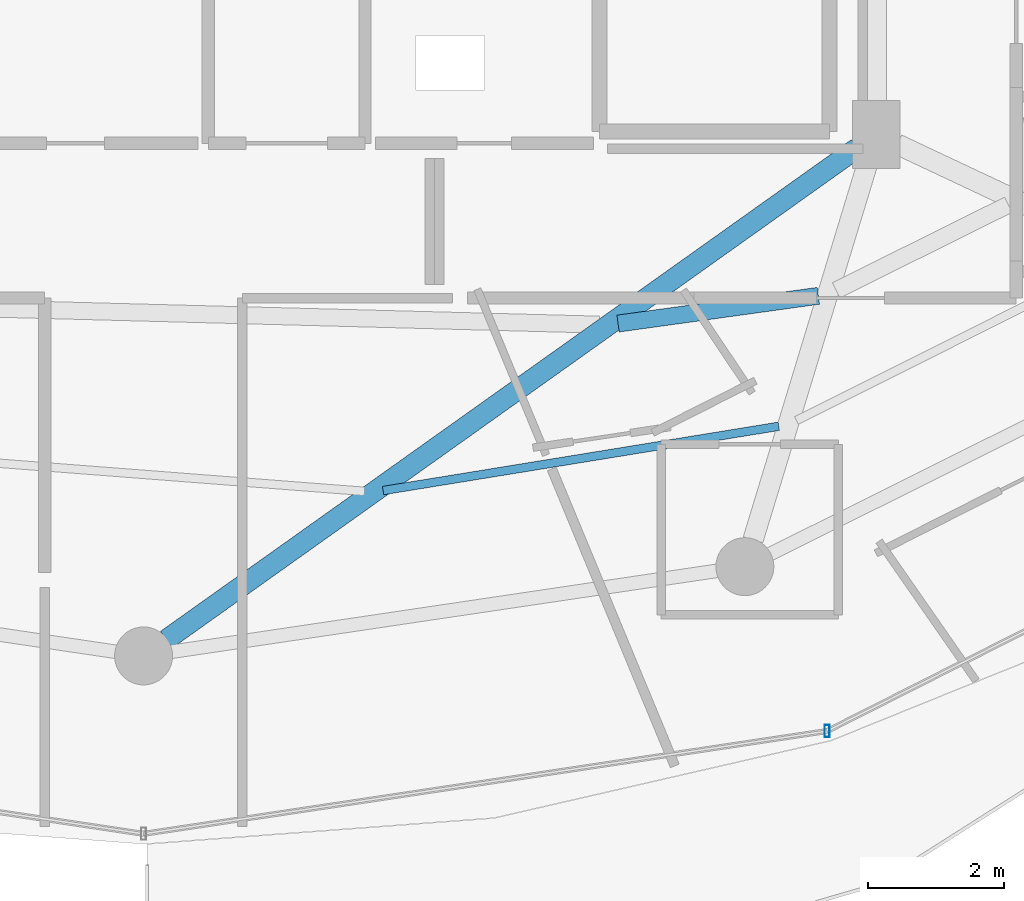
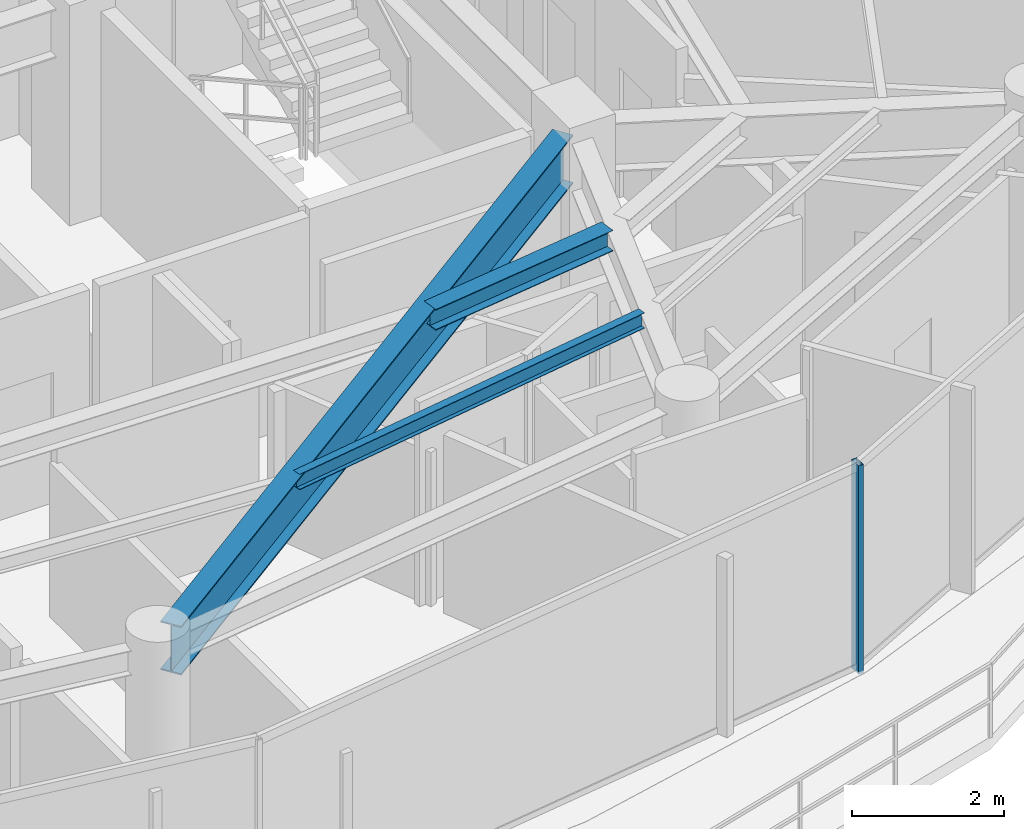
# One storey, part 10 of 30: 3 beams, 1 member, 1 element without a shape of its own.
"""IFC4 building model written with IfcOpenShell, lengths in metres."""

from ifc_helpers import new_model, si_unit, direction, frame, origin, origin_2d, place, context, subcontext, project, spatial, hollow_rectangle, i_section, extrude, material, material_profile, profile_set, type_object, element, aggregate, save


model = new_model("IFC4")

# Units and contexts
model_context = context("Model", 3, precision=1e-05, world=origin(), true_north=direction((0.0, 1.0)))
body_context = subcontext(model_context, "Body", "Model", "MODEL_VIEW")
ifc_project = project(units=[si_unit("LENGTHUNIT", "METRE"), si_unit("AREAUNIT", "SQUARE_METRE"), si_unit("VOLUMEUNIT", "CUBIC_METRE"), si_unit("PLANEANGLEUNIT", "RADIAN"), si_unit("MASSUNIT", "GRAM", prefix="KILO")], contexts=[model_context])

# Site, building, storey
site_placement = place(None, origin())
site = spatial("IfcSite", under=ifc_project, at=site_placement, CompositionType="ELEMENT")
building_placement = place(site_placement, origin())
building = spatial("IfcBuilding", under=site, at=building_placement, Name="Vorneva Point Tower", CompositionType="ELEMENT")
storey_placement = place(building_placement, frame((0.0, 0.0, 262.64990234375)))
storey = spatial("IfcBuildingStorey", under=building, at=storey_placement, Name="L71", CompositionType="ELEMENT", Elevation=262.64990234375)

# Beams
ifc_material_1 = material(Name="Steel S355", Category="steel")
ifc_material_profile_1 = material_profile(ifc_material_1, i_section(OverallWidth=0.300048828125, OverallDepth=0.7880859375, WebThickness=0.014404296875, FlangeThickness=0.02197265625, at=origin_2d()), Name="80Sh1")
ifc_profile_set_1 = profile_set([ifc_material_profile_1], Name="Steel S355")
beam_type_1 = type_object("IfcBeamType", Name="BM-GRD-80Sh1", PredefinedType="USERDEFINED", material=ifc_profile_set_1)
beam_1_placement = place(storey_placement, frame((38.33642578125, 9.03955078125, 2.89599609375), z_axis=(0.814757147543, 0.579802371958, 0.0), x_axis=(-0.579802371958, 0.814757147543, 0.0)))
element("IfcBeam", 1, at=beam_1_placement, inside=storey, type_object=beam_type_1, Name="L71 Radial Primary Girder 13", ObjectType="GIRDER", PredefinedType="USERDEFINED", context=body_context, shape_type="SweptSolid", body=[
    extrude(i_section(OverallWidth=0.300048828125, OverallDepth=0.7880859375, WebThickness=0.014404296875, FlangeThickness=0.02197265625, at=origin_2d()), origin(), (0.0, 0.0, 1.0), 12.441162109375),
])
ifc_material_profile_2 = material_profile(ifc_material_1, i_section(OverallWidth=0.1240234375, OverallDepth=0.248046875, WebThickness=0.0048828125, FlangeThickness=0.008056640625, at=origin_2d()), Name="25B1")
ifc_profile_set_2 = profile_set([ifc_material_profile_2], Name="Steel S355")
beam_type_2 = type_object("IfcBeamType", Name="BM-JST-25B1", PredefinedType="JOIST", material=ifc_profile_set_2)
beam_2_placement = place(storey_placement, frame((41.513671875, 11.2255859375, 3.166015625), z_axis=(0.987061114088, 0.160344494936, 0.0), x_axis=(-0.160344494936, 0.987061114088, 0.0)))
element("IfcBeam", 2, at=beam_2_placement, inside=storey, type_object=beam_type_2, Name="L71 Secondary Floor Beam 1.13", PredefinedType="JOIST", context=body_context, shape_type="SweptSolid", body=[
    extrude(i_section(OverallWidth=0.1240234375, OverallDepth=0.248046875, WebThickness=0.0048828125, FlangeThickness=0.008056640625, at=origin_2d()), origin(), (0.0, 0.0, 1.0), 5.88037109375),
])
ifc_material_profile_3 = material_profile(ifc_material_1, i_section(OverallWidth=0.2490234375, OverallDepth=0.333984375, WebThickness=0.008056640625, FlangeThickness=0.010986328125, at=origin_2d()), Name="35Sh1")
ifc_profile_set_3 = profile_set([ifc_material_profile_3], Name="Steel S355")
beam_type_3 = type_object("IfcBeamType", Name="BM-SEC-35Sh1", PredefinedType="BEAM", material=ifc_profile_set_3)
beam_3_placement = place(storey_placement, frame((44.960693359375, 13.675048828125, 3.123046875), z_axis=(0.990519047215, 0.137375460346, 0.0), x_axis=(-0.137375460346, 0.990519047215, 0.0)))
element("IfcBeam", 3, at=beam_3_placement, inside=storey, type_object=beam_type_3, Name="L71 Secondary Floor Beam 2.13", PredefinedType="BEAM", context=body_context, shape_type="SweptSolid", body=[
    extrude(i_section(OverallWidth=0.2490234375, OverallDepth=0.333984375, WebThickness=0.008056640625, FlangeThickness=0.010986328125, at=origin_2d()), origin(), (0.0, 0.0, 1.0), 2.966064453125),
])

# Curtain wall, member
ifc_material_2 = material(Name="Pale anodised aluminium", Category="aluminium")
curtain_wall_type = type_object("IfcCurtainWallType", Name="CW-RES-SYS", PredefinedType="NOTDEFINED", material=ifc_material_2)
curtain_wall_placement = place(storey_placement, origin())
curtain_wall = element("IfcCurtainWall", 4, at=curtain_wall_placement, inside=storey, type_object=curtain_wall_type, Name="L71 Unitised Curtain Wall CW-L71-R04", PredefinedType="NOTDEFINED")
ifc_material_profile_4 = material_profile(ifc_material_2, hollow_rectangle(XDim=0.074951171875, YDim=0.179931640625, WallThickness=0.00390625, at=origin_2d()), Name="AL-MUL 180x75x4")
ifc_profile_set_4 = profile_set([ifc_material_profile_4], Name="Pale anodised aluminium")
member_type = type_object("IfcMemberType", Name="CW-MUL-180", PredefinedType="MULLION", material=ifc_profile_set_4)
member_placement = place(storey_placement, frame((48.0263671875, 7.697998046875, -0.039794921875), z_axis=(0.0, 0.0, 1.0), x_axis=(1.0, 0.0, 0.0)))
member = element("IfcMember", 5, at=member_placement, type_object=member_type, Name="CW-L71-R04 Mullion 04", PredefinedType="MULLION", context=body_context, shape_type="SweptSolid", body=[
    extrude(hollow_rectangle(XDim=0.074951171875, YDim=0.179931640625, WallThickness=0.00390625, at=origin_2d()), origin(), (0.0, 0.0, 1.0), 3.35986328125),
])
aggregate(curtain_wall, [member])

save(model, "model.ifc")
